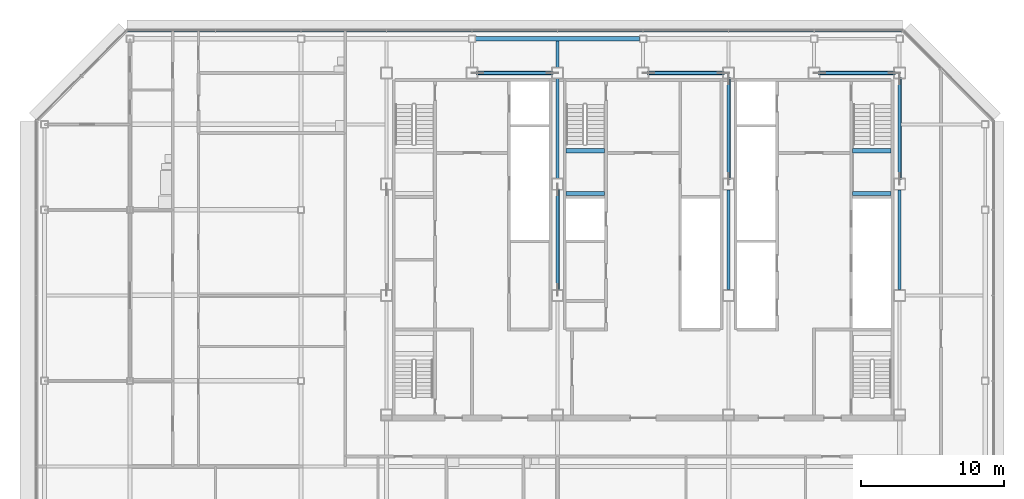
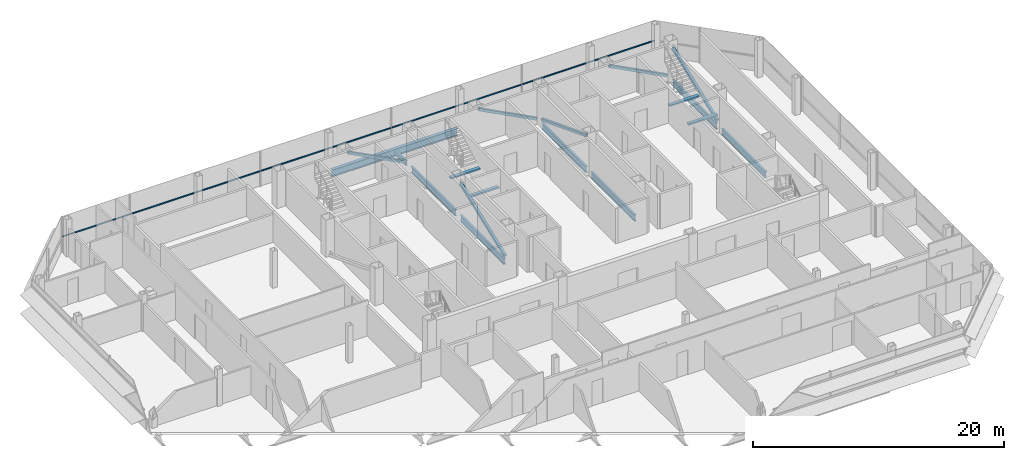
# One storey, part 15 of 27: 12 beams, 7 members, 1 element without a shape of its own.
"""IFC4 building model written with IfcOpenShell, lengths in metres."""

import ifcopenshell
import ifcopenshell.guid

model = None  # the IFC model being written
_history = None  # IfcOwnerHistory: only IFC2X3 demands one
_inside = {}  # id of a spatial element -> (the spatial element, [elements in it])
_under = {}  # id of a project, library or spatial element -> (it, [spatial elements below it])
_declared = {}  # id of a project -> (the project, [libraries it declares])
_typed = {}  # id of a type object -> (the type object, [elements of that type])
_made_of = {}  # id of a material, layer set ... -> (it, [elements and type objects made of it])


def new_model(schema):
    """Start an empty IFC model of exactly this schema.

    Asked for "IFC4X3", IfcOpenShell would pick the latest addendum, in which some entities
    have other attributes; the version numbers below select the first issue.
    IFC2X3 requires an IfcOwnerHistory on every rooted entity: one is made here for all.
    """
    global model, _history
    if schema == "IFC4X3":
        model = ifcopenshell.file(schema_version=(4, 3, 0, 0))
    else:
        model = ifcopenshell.file(schema=schema)
    _inside.clear()
    _under.clear()
    _declared.clear()
    _typed.clear()
    _made_of.clear()
    _history = None
    if model.schema == "IFC2X3":
        org = make("IfcOrganization", Name="unknown")
        user = make(
            "IfcPersonAndOrganization",
            ThePerson=make("IfcPerson", FamilyName="unknown"),
            TheOrganization=org,
        )
        app = make(
            "IfcApplication",
            ApplicationDeveloper=org,
            Version="unknown",
            ApplicationFullName="unknown",
            ApplicationIdentifier="unknown",
        )
        _history = make(
            "IfcOwnerHistory",
            OwningUser=user,
            OwningApplication=app,
            ChangeAction="ADDED",
            CreationDate=0,
        )
    return model


def make(cls, **values):
    """One entity of the class cls with the attributes given. An attribute that is None is left unset."""
    return model.create_entity(
        cls, **{name: value for name, value in values.items() if value is not None}
    )


def rooted(cls, **values):
    """An entity with a GlobalId (a new one), such as an element, a storey or a relation."""
    return make(cls, GlobalId=ifcopenshell.guid.new(), OwnerHistory=_history, **values)


def si_unit(unit_type, name, prefix=None):
    """IfcSIUnit, for example si_unit("LENGTHUNIT", "METRE", prefix="MILLI")."""
    return make("IfcSIUnit", UnitType=unit_type, Prefix=prefix, Name=name)


def assignment(units):
    """IfcUnitAssignment: the units of a project."""
    return None if units is None else make("IfcUnitAssignment", Units=units)


def point(xyz):
    """IfcCartesianPoint."""
    return None if xyz is None else make("IfcCartesianPoint", Coordinates=xyz)


def direction(xyz):
    """IfcDirection."""
    return None if xyz is None else make("IfcDirection", DirectionRatios=xyz)


def frame(location, z_axis=None, x_axis=None):
    """IfcAxis2Placement3D, a coordinate frame: its origin and axes. An axis left out is left unset."""
    return make(
        "IfcAxis2Placement3D",
        Location=point(location),
        Axis=direction(z_axis),
        RefDirection=direction(x_axis),
    )


def frame_2d(location, x_axis=None):
    """IfcAxis2Placement2D, a coordinate frame in the plane: its origin and x axis."""
    return make(
        "IfcAxis2Placement2D", Location=point(location), RefDirection=direction(x_axis)
    )


def origin():
    """The frame at (0, 0, 0) with its axes left unset."""
    return frame((0.0, 0.0, 0.0))


def origin_2d():
    """The frame at (0, 0) in the plane with its x axis left unset."""
    return frame_2d((0.0, 0.0))


def place(relative_to, where):
    """IfcLocalPlacement: puts the frame where relative to a parent placement (None: the world)."""
    return make(
        "IfcLocalPlacement", PlacementRelTo=relative_to, RelativePlacement=where
    )


def context(
    kind, dimensions, precision=None, world=None, true_north=None, identifier=None
):
    """IfcGeometricRepresentationContext, for example the 3D "Model" context."""
    return make(
        "IfcGeometricRepresentationContext",
        ContextIdentifier=identifier,
        ContextType=kind,
        CoordinateSpaceDimension=dimensions,
        Precision=precision,
        WorldCoordinateSystem=world,
        TrueNorth=true_north,
    )


def subcontext(parent, identifier, kind, view, scale=None):
    """IfcGeometricRepresentationSubContext, for example "Body" below "Model"."""
    return make(
        "IfcGeometricRepresentationSubContext",
        ContextIdentifier=identifier,
        ContextType=kind,
        ParentContext=parent,
        TargetScale=scale,
        TargetView=view,
    )


def project(units=None, contexts=None):
    """IfcProject with its units and contexts."""
    return rooted(
        "IfcProject",
        Name="project",
        RepresentationContexts=contexts,
        UnitsInContext=assignment(units),
    )


def spatial(cls, under=None, at=None, **own):
    """A site, building, storey or space (cls), placed at a placement, below another one or the project."""
    s = rooted(cls, ObjectPlacement=at, **own)
    if under is not None:
        _under.setdefault(under.id(), (under, []))[1].append(s)
    return s


def profile(cls, at=None, kind="AREA", **sizes):
    """A parametric profile (cls). Its sizes go by their IFC names, for example OverallWidth=200.0."""
    return make(cls, ProfileType=kind, Position=at, **sizes)


def rectangle(**sizes):
    """IfcRectangleProfileDef."""
    return profile("IfcRectangleProfileDef", **sizes)


def hollow_rectangle(**sizes):
    """IfcRectangleHollowProfileDef."""
    return profile("IfcRectangleHollowProfileDef", **sizes)


def i_section(**sizes):
    """IfcIShapeProfileDef."""
    return profile("IfcIShapeProfileDef", **sizes)


def extrude(swept, where, along, depth):
    """IfcExtrudedAreaSolid: the profile swept, set in the frame where, extruded along a direction by depth."""
    return make(
        "IfcExtrudedAreaSolid",
        SweptArea=swept,
        Position=where,
        ExtrudedDirection=direction(along),
        Depth=depth,
    )


def shape(context_of_items, identifier, shape_type, items):
    """IfcShapeRepresentation: the items that make up one representation, for example the "Body"."""
    return make(
        "IfcShapeRepresentation",
        ContextOfItems=context_of_items,
        RepresentationIdentifier=identifier,
        RepresentationType=shape_type,
        Items=items,
    )


def material(Name=None, Category=None):
    """IfcMaterial."""
    return make("IfcMaterial", Name=Name, Category=Category)


def material_profile(
    of_material, cross_section, Name=None, Category=None, Priority=None
):
    """IfcMaterialProfile: a cross section and its material."""
    return make(
        "IfcMaterialProfile",
        Name=Name,
        Material=of_material,
        Profile=cross_section,
        Priority=Priority,
        Category=Category,
    )


def profile_set(profiles, Name=None, composite=None):
    """IfcMaterialProfileSet."""
    return make(
        "IfcMaterialProfileSet",
        Name=Name,
        MaterialProfiles=profiles,
        CompositeProfile=composite,
    )


def made_of(thing, what):
    """Note that an element or type object is made of a material, layer set ...; save() writes the relation."""
    if what is not None:
        _made_of.setdefault(what.id(), (what, []))[1].append(thing)
    return thing


def type_object(cls, material=None, **own):
    """A type object (cls), such as IfcWallType, which elements share."""
    return made_of(rooted(cls, **own), material)


def element(
    cls,
    number,
    at=None,
    inside=None,
    cuts=None,
    type_object=None,
    material=None,
    context=None,
    identifier="Body",
    shape_type=None,
    held_by="IfcProductDefinitionShape",
    body=None,
    shapes=None,
    **own,
):
    """One element of the class cls, such as IfcWall. Its Tag is "e" and its number.

    at: its placement. inside: the storey or other place that contains it. cuts: it is an
    opening in that element (IfcRelVoidsElement). A single representation is given by context,
    identifier, shape_type and body (its items); several are given by shapes. held_by: the class
    of the entity that holds the representations. save() writes the other relations.
    """
    e = rooted(cls, Tag="e%d" % number, ObjectPlacement=at, **own)
    if body is not None:
        shapes = [shape(context, identifier, shape_type, body)]
    if shapes is not None:
        e.Representation = make(held_by, Representations=shapes)
    if inside is not None:
        _inside.setdefault(inside.id(), (inside, []))[1].append(e)
    if cuts is not None:
        rooted(
            "IfcRelVoidsElement", RelatingBuildingElement=cuts, RelatedOpeningElement=e
        )
    if type_object is not None:
        _typed.setdefault(type_object.id(), (type_object, []))[1].append(e)
    return made_of(e, material)


def aggregate(whole, parts):
    """IfcRelAggregates: a whole, such as a stair, and the parts it consists of."""
    return rooted("IfcRelAggregates", RelatingObject=whole, RelatedObjects=parts)


def save(model, path):
    """Write the relations noted so far, then the file.

    IfcRelAggregates (storeys below a building ...), IfcRelContainedInSpatialStructure (elements
    in a storey), IfcRelDefinesByType, IfcRelAssociatesMaterial and IfcRelDeclares: one each for
    every whole, place, type object, material and project.
    """
    for whole, parts in _under.values():
        aggregate(whole, parts)
    for where, things in _inside.values():
        rooted(
            "IfcRelContainedInSpatialStructure",
            RelatedElements=things,
            RelatingStructure=where,
        )
    for kind, things in _typed.values():
        rooted("IfcRelDefinesByType", RelatedObjects=things, RelatingType=kind)
    for what, things in _made_of.values():
        rooted("IfcRelAssociatesMaterial", RelatedObjects=things, RelatingMaterial=what)
    for by, libraries in _declared.values():
        rooted("IfcRelDeclares", RelatingContext=by, RelatedDefinitions=libraries)
    model.write(path)


model = new_model("IFC4")

# Units and contexts
model_context = context("Model", 3, precision=1e-05, world=origin(), true_north=direction((0.0, 1.0)))
body_context = subcontext(model_context, "Body", "Model", "MODEL_VIEW")
ifc_project = project(units=[si_unit("LENGTHUNIT", "METRE"), si_unit("AREAUNIT", "SQUARE_METRE"), si_unit("VOLUMEUNIT", "CUBIC_METRE"), si_unit("PLANEANGLEUNIT", "RADIAN"), si_unit("MASSUNIT", "GRAM", prefix="KILO")], contexts=[model_context])

# Site, building, storey
site_placement = place(None, origin())
site = spatial("IfcSite", under=ifc_project, at=site_placement, CompositionType="ELEMENT")
building_placement = place(site_placement, origin())
building = spatial("IfcBuilding", under=site, at=building_placement, Name="Sorahane Residences", CompositionType="ELEMENT")
storey_placement = place(building_placement, frame((0.0, 0.0, 316.0)))
storey = spatial("IfcBuildingStorey", under=building, at=storey_placement, Name="L75", CompositionType="ELEMENT", Elevation=316.0)

# Members
ifc_material_1 = material(Name="Steel Q355B", Category="steel")
ifc_material_profile_1 = material_profile(ifc_material_1, hollow_rectangle(XDim=0.25, YDim=0.25, WallThickness=0.011962890625, InnerFilletRadius=0.006103515625, OuterFilletRadius=0.01806640625, at=origin_2d()), Name="RHS 250x250x12")
ifc_profile_set_1 = profile_set([ifc_material_profile_1], Name="Steel Q355B")
member_type_1 = type_object("IfcMemberType", Name="Core brace RHS 250x250x12 Q355B", PredefinedType="BRACE", material=ifc_profile_set_1)
for number, where, z_axis, x_axis, name in (
    (1, (17.634765625, 45.60009765625, 0.10693359375), (-0.886099769192, 0.0, 0.46349455125), (0.0, -1.0, 0.0), "Core brace L75 y45.6-2"),
    (2, (29.634765625, 45.60009765625, 0.10693359375), (-0.886099769192, 0.0, 0.46349455125), (0.0, -1.0, 0.0), "Core brace L75 y45.6-4"),
    (3, (41.634765625, 45.60009765625, 0.10693359375), (-0.886099769192, 0.0, 0.46349455125), (0.0, -1.0, 0.0), "Core brace L75 y45.6-6"),
):
    element("IfcMember", number, at=place(storey_placement, frame(where, z_axis=z_axis, x_axis=x_axis)), inside=storey, type_object=member_type_1, Name=name, PredefinedType="BRACE", context=body_context, shape_type="SweptSolid", body=[
        extrude(hollow_rectangle(XDim=0.25, YDim=0.25, WallThickness=0.011962890625, InnerFilletRadius=0.006103515625, OuterFilletRadius=0.01806640625, at=origin_2d()), origin(), (0.0, 0.0, 1.0), 5.94677734375),
    ])
for number, where, z_axis, x_axis, name in (
    (4, (42.0, 38.1728515625, 0.114501953125), (0.0, 0.932108763247, 0.362178482902), (-1.0, 0.0, 0.0), "Core brace L75 x42-3"),
    (5, (18.0, 30.372802734375, 0.114501953125), (0.0, 0.932112994653, 0.362167592697), (-1.0, 0.0, 0.0), "Core brace L75 x18-1"),
    (6, (30.0, 45.22705078125, 0.114501953125), (0.0, -0.932108763247, 0.362178482902), (1.0, 0.0, 0.0), "Core brace L75 x30-2"),
):
    element("IfcMember", number, at=place(storey_placement, frame(where, z_axis=z_axis, x_axis=x_axis)), inside=storey, type_object=member_type_1, Name=name, PredefinedType="BRACE", context=body_context, shape_type="SweptSolid", body=[
        extrude(hollow_rectangle(XDim=0.25, YDim=0.25, WallThickness=0.011962890625, InnerFilletRadius=0.006103515625, OuterFilletRadius=0.01806640625, at=origin_2d()), origin(), (0.0, 0.0, 1.0), 7.568115234375),
    ])

# Curtain wall, member
ifc_material_2 = material(Name="Dark low-e glass and black anodised aluminium", Category="aluminium")
curtain_wall_type = type_object("IfcCurtainWallType", Name="Curtain wall CW-1 Typical unitised wall", PredefinedType="NOTDEFINED", material=ifc_material_2)
curtain_wall_placement = place(storey_placement, origin())
curtain_wall = element("IfcCurtainWall", 7, at=curtain_wall_placement, inside=storey, type_object=curtain_wall_type, Name="CW-1 curtain wall L75 N1", PredefinedType="NOTDEFINED")
ifc_material_3 = material(Name="Black anodised aluminium", Category="aluminium")
ifc_material_profile_2 = material_profile(ifc_material_3, rectangle(XDim=0.10009765625, YDim=0.06005859375, at=origin_2d()), Name="Curtain wall transom CW-1 black anodised aluminium 60x100")
ifc_profile_set_2 = profile_set([ifc_material_profile_2], Name="Black anodised aluminium")
member_type_2 = type_object("IfcMemberType", Name="Curtain wall transom CW-1 black anodised aluminium 60x100", PredefinedType="USERDEFINED", material=ifc_profile_set_2)
member_placement = place(storey_placement, frame((42.198486328125, 48.530029296875, 1.5), z_axis=(-1.0, 0.0, 0.0), x_axis=(0.0, -1.0, 0.0)))
member = element("IfcMember", 8, at=member_placement, type_object=member_type_2, Name="CW-1 transom L75 N1", ObjectType="TRANSOM", PredefinedType="USERDEFINED", context=body_context, shape_type="SweptSolid", body=[
    extrude(rectangle(XDim=0.10009765625, YDim=0.06005859375, at=origin_2d()), origin(), (0.0, 0.0, 1.0), 54.39697265625),
])
aggregate(curtain_wall, [member])

# Beams
ifc_material_4 = material(Name="Concrete C40", Category="concrete")
ifc_material_profile_3 = material_profile(ifc_material_4, rectangle(XDim=0.300048828125, YDim=0.139892578125, at=origin_2d()), Name="300x140")
ifc_profile_set_3 = profile_set([ifc_material_profile_3], Name="Concrete C40")
beam_type_1 = type_object("IfcBeamType", Name="RC landing beam 300 x 140 Concrete C40", PredefinedType="BEAM", material=ifc_profile_set_3)
for number, where, z_axis, x_axis, name in (
    (9, (38.699951171875, 37.14990234375, 1.530029296875), (1.0, 0.0, 0.0), (0.0, 1.0, 0.0), "Landing beam"),
    (10, (38.699951171875, 40.14990234375, 1.530029296875), (1.0, 0.0, 0.0), (0.0, 1.0, 0.0), "Landing beam"),
    (11, (18.60009765625, 37.14990234375, 1.530029296875), (1.0, 0.0, 0.0), (0.0, 1.0, 0.0), "Landing beam"),
    (12, (18.60009765625, 40.14990234375, 1.530029296875), (1.0, 0.0, 0.0), (0.0, 1.0, 0.0), "Landing beam"),
):
    element("IfcBeam", number, at=place(storey_placement, frame(where, z_axis=z_axis, x_axis=x_axis)), inside=storey, type_object=beam_type_1, Name=name, PredefinedType="BEAM", context=body_context, shape_type="SweptSolid", body=[
        extrude(rectangle(XDim=0.300048828125, YDim=0.139892578125, at=origin_2d()), origin(), (0.0, 0.0, 1.0), 2.699951171875),
    ])
ifc_material_5 = material(Name="Steel Q355B", Category="steel")
ifc_material_profile_4 = material_profile(ifc_material_5, i_section(OverallWidth=0.199951171875, OverallDepth=0.449951171875, WebThickness=0.009033203125, FlangeThickness=0.013916015625, FilletRadius=0.02001953125, at=origin_2d()), Name="HN 450x200x9x14")
ifc_profile_set_4 = profile_set([ifc_material_profile_4], Name="Steel Q355B")
beam_type_2 = type_object("IfcBeamType", Name="Steel floor beam HN 450x200x9x14 Q355B", PredefinedType="BEAM", material=ifc_profile_set_4)
beam_1_placement = place(storey_placement, frame((18.0, 46.0, -0.405029296875), z_axis=(0.0, 1.0, 0.0), x_axis=(-1.0, 0.0, 0.0)))
element("IfcBeam", 13, at=beam_1_placement, inside=storey, type_object=beam_type_2, Name="Beam L75 045", PredefinedType="BEAM", context=body_context, shape_type="SweptSolid", body=[
    extrude(i_section(OverallWidth=0.199951171875, OverallDepth=0.449951171875, WebThickness=0.009033203125, FlangeThickness=0.013916015625, FilletRadius=0.02001953125, at=origin_2d()), origin(), (0.0, 0.0, 1.0), 1.85009765625),
])
ifc_material_6 = material(Name="Steel Q355B", Category="steel")
ifc_material_profile_5 = material_profile(ifc_material_6, i_section(OverallWidth=0.199951171875, OverallDepth=0.60009765625, WebThickness=0.010986328125, FlangeThickness=0.01708984375, FilletRadius=0.02392578125, at=origin_2d()), Name="HN 600x200x11x17")
ifc_profile_set_5 = profile_set([ifc_material_profile_5], Name="Steel Q355B")
beam_type_3 = type_object("IfcBeamType", Name="Steel floor beam HN 600x200x11x17 Q355B", PredefinedType="BEAM", material=ifc_profile_set_5)
for number, where, z_axis, x_axis, name in (
    (14, (18.0, 30.39990234375, -0.47998046875), (0.0, 1.0, 0.0), (-1.0, 0.0, 0.0), "Beam L75 043"),
    (15, (18.0, 38.199951171875, -0.47998046875), (0.0, 1.0, 0.0), (-1.0, 0.0, 0.0), "Beam L75 044"),
    (16, (30.0, 30.39990234375, -0.47998046875), (0.0, 1.0, 0.0), (-1.0, 0.0, 0.0), "Beam L75 051"),
    (17, (30.0, 38.199951171875, -0.47998046875), (0.0, 1.0, 0.0), (-1.0, 0.0, 0.0), "Beam L75 052"),
    (18, (42.0, 30.39990234375, -0.47998046875), (0.0, 1.0, 0.0), (-1.0, 0.0, 0.0), "Beam L75 059"),
    (19, (42.0, 38.199951171875, -0.47998046875), (0.0, 1.0, 0.0), (-1.0, 0.0, 0.0), "Beam L75 060"),
):
    element("IfcBeam", number, at=place(storey_placement, frame(where, z_axis=z_axis, x_axis=x_axis)), inside=storey, type_object=beam_type_3, Name=name, PredefinedType="BEAM", context=body_context, shape_type="SweptSolid", body=[
        extrude(i_section(OverallWidth=0.199951171875, OverallDepth=0.60009765625, WebThickness=0.010986328125, FlangeThickness=0.01708984375, FilletRadius=0.02392578125, at=origin_2d()), origin(), (0.0, 0.0, 1.0), 7.0),
    ])
ifc_material_7 = material(Name="Steel Q355B", Category="steel")
ifc_material_profile_6 = material_profile(ifc_material_7, i_section(OverallWidth=0.300048828125, OverallDepth=0.699951171875, WebThickness=0.012939453125, FlangeThickness=0.02392578125, FilletRadius=0.028076171875, at=origin_2d()), Name="HN 700x300x13x24")
ifc_profile_set_6 = profile_set([ifc_material_profile_6], Name="Steel Q355B")
beam_type_4 = type_object("IfcBeamType", Name="Steel floor beam HN 700x300x13x24 Q355B", PredefinedType="BEAM", material=ifc_profile_set_6)
beam_2_placement = place(storey_placement, frame((12.25, 48.0, -0.530029296875), z_axis=(1.0, 0.0, 0.0), x_axis=(0.0, 1.0, 0.0)))
element("IfcBeam", 20, at=beam_2_placement, inside=storey, type_object=beam_type_4, Name="Beam L75 017", PredefinedType="BEAM", context=body_context, shape_type="SweptSolid", body=[
    extrude(i_section(OverallWidth=0.300048828125, OverallDepth=0.699951171875, WebThickness=0.012939453125, FlangeThickness=0.02392578125, FilletRadius=0.028076171875, at=origin_2d()), origin(), (0.0, 0.0, 1.0), 11.5),
])

save(model, "model.ifc")
